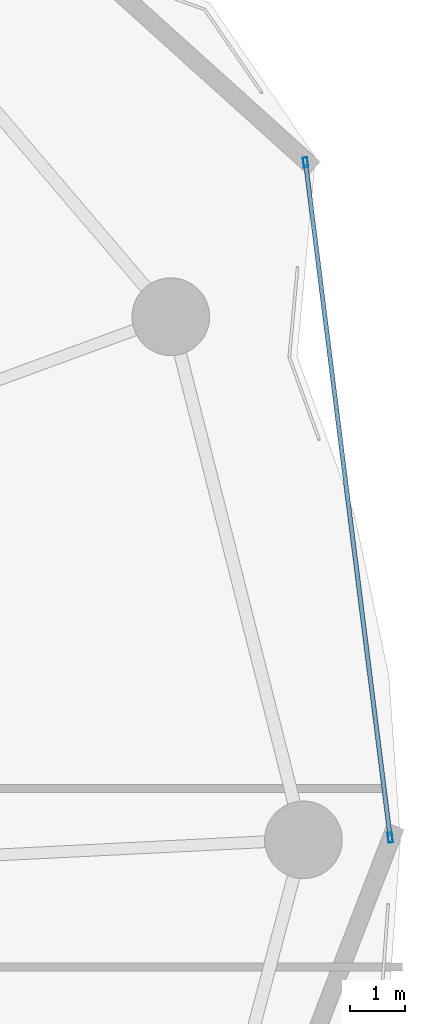
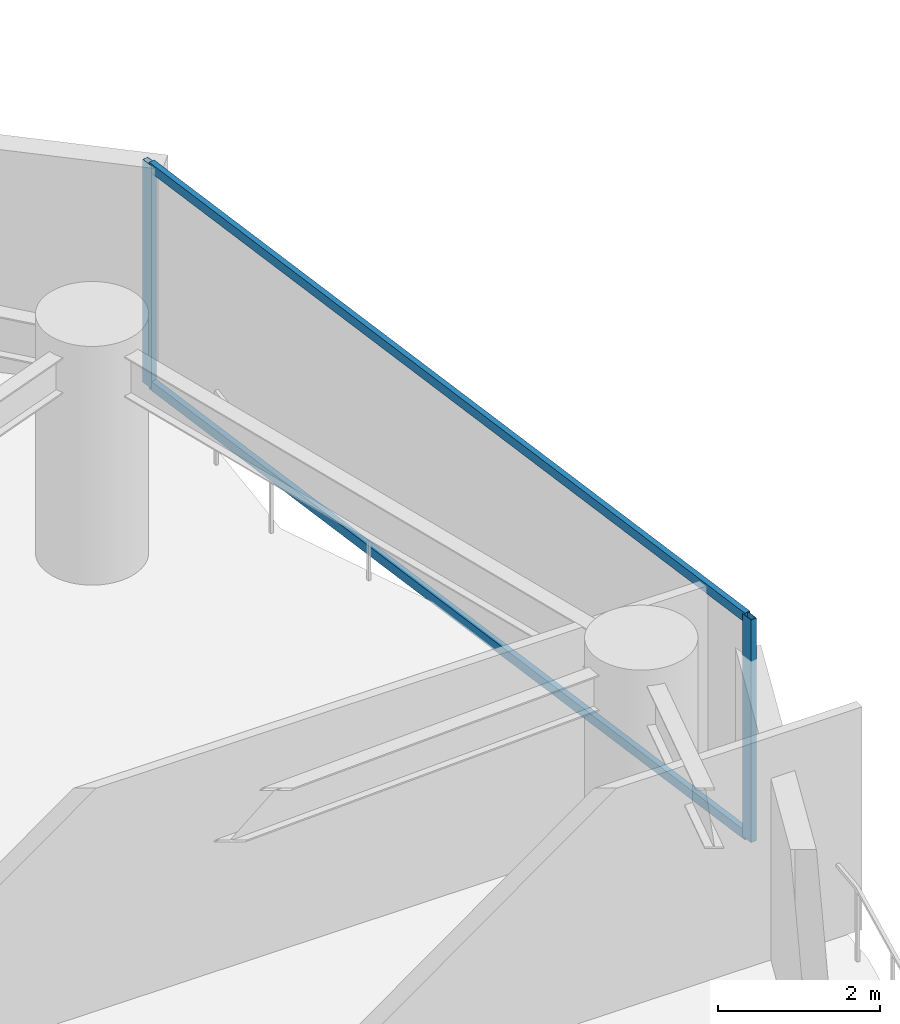
# One storey, part 23 of 30: 4 members, 1 element without a shape of its own.
"""IFC4 building model written with IfcOpenShell, lengths in metres."""

from ifc_helpers import new_model, si_unit, direction, frame, origin, origin_2d, place, context, subcontext, project, spatial, hollow_rectangle, extrude, material, layer, layer_set, material_profile, profile_set, type_object, element, aggregate, save


model = new_model("IFC4")

# Units and contexts
model_context = context("Model", 3, precision=1e-05, world=origin(), true_north=direction((0.0, 1.0)))
body_context = subcontext(model_context, "Body", "Model", "MODEL_VIEW")
ifc_project = project(units=[si_unit("LENGTHUNIT", "METRE"), si_unit("AREAUNIT", "SQUARE_METRE"), si_unit("VOLUMEUNIT", "CUBIC_METRE"), si_unit("PLANEANGLEUNIT", "RADIAN"), si_unit("MASSUNIT", "GRAM", prefix="KILO")], contexts=[model_context])

# Site, building, storey
site_placement = place(None, origin())
site = spatial("IfcSite", under=ifc_project, at=site_placement, CompositionType="ELEMENT")
building_placement = place(site_placement, origin())
building = spatial("IfcBuilding", under=site, at=building_placement, Name="Kazevale Care Tower and Concert Hall", CompositionType="ELEMENT")
storey_placement = place(building_placement, frame((0.0, 0.0, 70.800048828125)))
storey = spatial("IfcBuildingStorey", under=building, at=storey_placement, Name="L18", CompositionType="ELEMENT", Elevation=70.800048828125)

# Curtain wall, members
ifc_material_1 = material(Name="Aluminium 6063-T6 and Low-E Glass", Category="aluminium")
ifc_layer = layer(ifc_material_1, 0.179931640625)
ifc_layer_set = layer_set([ifc_layer], Name="Aluminium 6063-T6 and Low-E Glass")
curtain_wall_type = type_object("IfcCurtainWallType", Name="Waist & Upper Residential Curtain Wall CW-4", PredefinedType="NOTDEFINED", material=ifc_layer_set)
curtain_wall_placement = place(storey_placement, origin())
curtain_wall = element("IfcCurtainWall", 1, at=curtain_wall_placement, inside=storey, type_object=curtain_wall_type, Name="cw:L18:f18", PredefinedType="NOTDEFINED")
ifc_material_2 = material(Name="Aluminium 6063-T6", Category="aluminium")
ifc_material_profile_1 = material_profile(ifc_material_2, hollow_rectangle(XDim=0.080078125, YDim=0.179931640625, WallThickness=0.0048828125, at=origin_2d()), Name="ALU80x180x5")
ifc_profile_set_1 = profile_set([ifc_material_profile_1], Name="Aluminium 6063-T6")
member_type_1 = type_object("IfcMemberType", Name="CW-4 Mullion ALU80x180x5", PredefinedType="MULLION", material=ifc_profile_set_1)
member_1_placement = place(storey_placement, frame((76.489013671875, 50.21240234375, 0.0), z_axis=(0.0, 0.0, 1.0), x_axis=(0.992232958389, 0.124393554037, 0.0)))
member_1 = element("IfcMember", 2, at=member_1_placement, type_object=member_type_1, Name="CW-4 mullion 1", PredefinedType="MULLION", context=body_context, shape_type="SweptSolid", body=[
    extrude(hollow_rectangle(XDim=0.080078125, YDim=0.179931640625, WallThickness=0.0048828125, at=origin_2d()), origin(), (0.0, 0.0, 1.0), 3.35986328125),
])
member_2_placement = place(storey_placement, frame((78.01513671875, 38.039794921875, 0.0), z_axis=(0.0, 0.0, 1.0), x_axis=(0.992232958389, 0.124393554037, 0.0)))
member_2 = element("IfcMember", 3, at=member_2_placement, type_object=member_type_1, Name="CW-4 mullion 2", PredefinedType="MULLION", context=body_context, shape_type="SweptSolid", body=[
    extrude(hollow_rectangle(XDim=0.080078125, YDim=0.179931640625, WallThickness=0.0048828125, at=origin_2d()), origin(), (0.0, 0.0, 1.0), 3.35986328125),
])
ifc_material_profile_2 = material_profile(ifc_material_2, hollow_rectangle(XDim=0.080078125, YDim=0.139892578125, WallThickness=0.00390625, at=origin_2d()), Name="ALU80x140x4")
ifc_profile_set_2 = profile_set([ifc_material_profile_2], Name="Aluminium 6063-T6")
member_type_2 = type_object("IfcMemberType", Name="CW-4 Transom ALU80x140x4", PredefinedType="USERDEFINED", material=ifc_profile_set_2)
member_3_placement = place(storey_placement, frame((76.493896484375, 50.172607421875, 0.0400390625), z_axis=(0.124394674353, -0.992232817938, 0.0), x_axis=(0.992232817938, 0.124394674353, 0.0)))
member_3 = element("IfcMember", 4, at=member_3_placement, type_object=member_type_2, Name="CW-4 transom 1.1", ObjectType="TRANSOM", PredefinedType="USERDEFINED", context=body_context, shape_type="SweptSolid", body=[
    extrude(hollow_rectangle(XDim=0.080078125, YDim=0.139892578125, WallThickness=0.00390625, at=origin_2d()), origin(), (0.0, 0.0, 1.0), 12.18798828125),
])
member_4_placement = place(storey_placement, frame((76.493896484375, 50.172607421875, 3.320068359375), z_axis=(0.124394674353, -0.992232817938, 0.0), x_axis=(0.992232817938, 0.124394674353, 0.0)))
member_4 = element("IfcMember", 5, at=member_4_placement, type_object=member_type_2, Name="CW-4 transom 1.2", ObjectType="TRANSOM", PredefinedType="USERDEFINED", context=body_context, shape_type="SweptSolid", body=[
    extrude(hollow_rectangle(XDim=0.080078125, YDim=0.139892578125, WallThickness=0.00390625, at=origin_2d()), origin(), (0.0, 0.0, 1.0), 12.18798828125),
])
aggregate(curtain_wall, [member_1, member_2, member_3, member_4])

save(model, "model.ifc")
